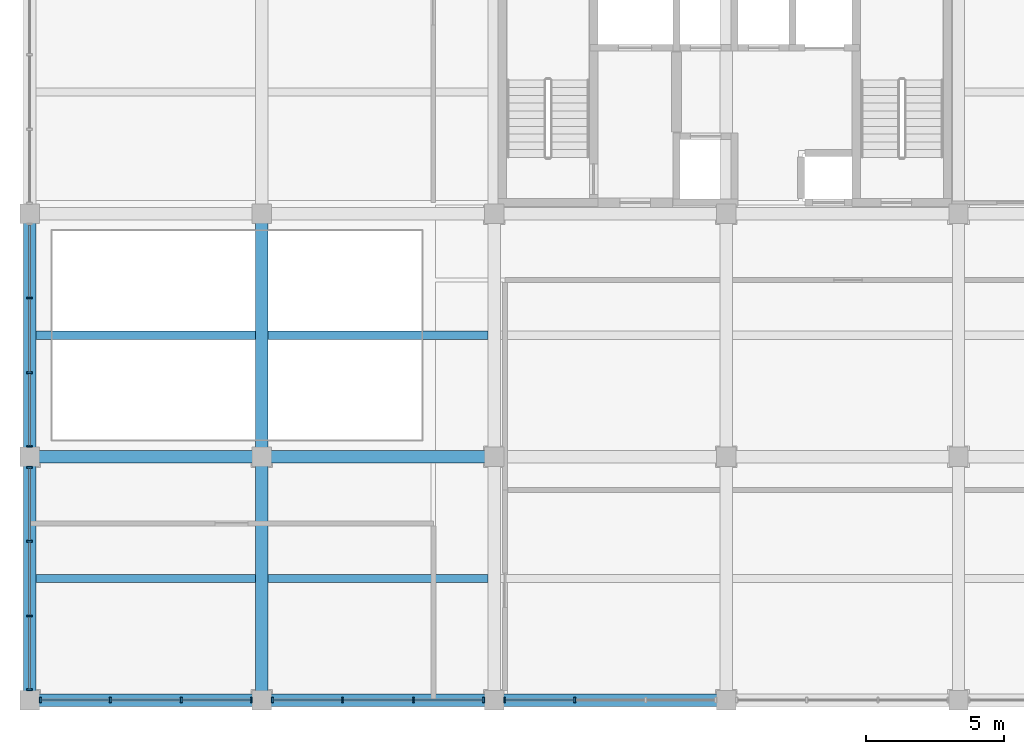
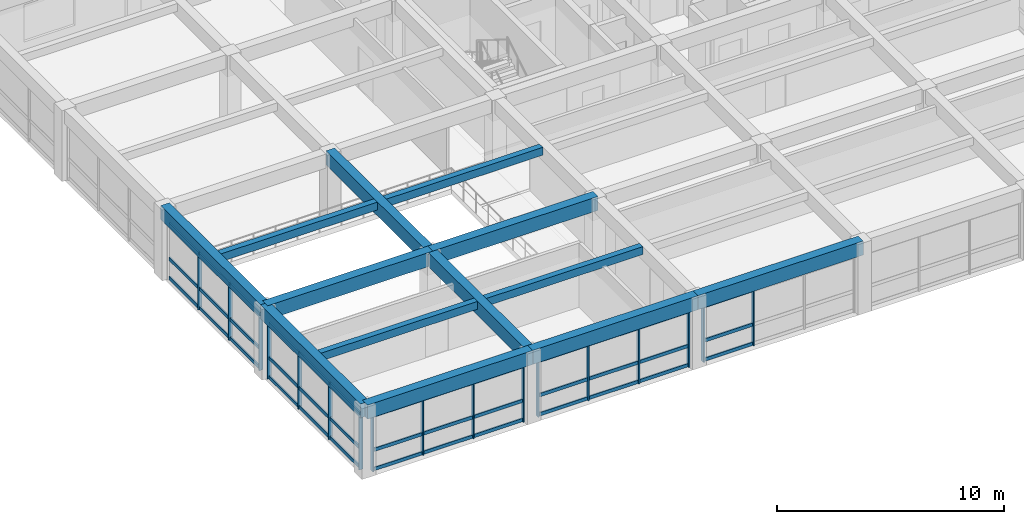
# One storey, part 2 of 13: 56 members, 13 beams, 5 elements without a shape of their own.
"""IFC4 building model written with IfcOpenShell, lengths in metres."""

from ifc_helpers import new_model, si_unit, direction, frame, origin, origin_2d, place, context, subcontext, project, spatial, rectangle, extrude, material, material_profile, profile_set, type_object, element, aggregate, save


model = new_model("IFC4")

# Units and contexts
model_context = context("Model", 3, precision=1e-05, world=origin(), true_north=direction((0.0, 1.0)))
body_context = subcontext(model_context, "Body", "Model", "MODEL_VIEW")
ifc_project = project(units=[si_unit("LENGTHUNIT", "METRE"), si_unit("AREAUNIT", "SQUARE_METRE"), si_unit("VOLUMEUNIT", "CUBIC_METRE"), si_unit("PLANEANGLEUNIT", "RADIAN"), si_unit("MASSUNIT", "GRAM", prefix="KILO")], contexts=[model_context])

# Site, building, storey
site_placement = place(None, origin())
site = spatial("IfcSite", under=ifc_project, at=site_placement, CompositionType="ELEMENT")
building_placement = place(site_placement, origin())
building = spatial("IfcBuilding", under=site, at=building_placement, Name="Kemercrest Conservatory and Botanical Centre", CompositionType="ELEMENT")
storey_placement = place(building_placement, frame((0.0, 0.0, 40.60009765625)))
storey = spatial("IfcBuildingStorey", under=building, at=storey_placement, Name="L10", CompositionType="ELEMENT", Elevation=40.60009765625)

# Beams
ifc_material_1 = material(Name="Concrete C40/50", Category="concrete")
ifc_material_profile_1 = material_profile(ifc_material_1, rectangle(XDim=0.449951171875, YDim=0.75, at=origin_2d()), Name="RC 450x750")
ifc_profile_set_1 = profile_set([ifc_material_profile_1], Name="Concrete C40/50")
beam_type_1 = type_object("IfcBeamType", Name="BM-RC75", PredefinedType="BEAM", material=ifc_profile_set_1)
beam_1_placement = place(storey_placement, frame((134.0, 96.0, 3.4248046875), z_axis=(1.0, 0.0, 0.0), x_axis=(0.0, 1.0, 0.0)))
element("IfcBeam", 1, at=beam_1_placement, inside=storey, type_object=beam_type_1, Name="V4-L11 beam BM-RC75 L/16-17", PredefinedType="BEAM", context=body_context, shape_type="SweptSolid", body=[
    extrude(rectangle(XDim=0.449951171875, YDim=0.75, at=origin_2d()), origin(), (0.0, 0.0, 1.0), 8.39990234375),
])
beam_2_placement = place(storey_placement, frame((142.39990234375, 96.0, 3.4248046875), z_axis=(1.0, 0.0, 0.0), x_axis=(0.0, 1.0, 0.0)))
element("IfcBeam", 2, at=beam_2_placement, inside=storey, type_object=beam_type_1, Name="V4-L11 beam BM-RC75 L/17-18", PredefinedType="BEAM", context=body_context, shape_type="SweptSolid", body=[
    extrude(rectangle(XDim=0.449951171875, YDim=0.75, at=origin_2d()), origin(), (0.0, 0.0, 1.0), 8.400146484375),
])
for number, where, z_axis, x_axis, name in (
    (3, (142.39990234375, 87.199951171875, 3.4248046875), (0.0, 1.0, 0.0), (-1.0, 0.0, 0.0), "V4-L11 beam BM-RC75 17/K-L"),
    (4, (142.39990234375, 96.0, 3.4248046875), (0.0, 1.0, 0.0), (-1.0, 0.0, 0.0), "V4-L11 beam BM-RC75 17/L-M"),
):
    element("IfcBeam", number, at=place(storey_placement, frame(where, z_axis=z_axis, x_axis=x_axis)), inside=storey, type_object=beam_type_1, Name=name, PredefinedType="BEAM", context=body_context, shape_type="SweptSolid", body=[
        extrude(rectangle(XDim=0.449951171875, YDim=0.75, at=origin_2d()), origin(), (0.0, 0.0, 1.0), 8.800048828125),
    ])

# Curtain wall, members
ifc_material_2 = material(Name="Thermally broken aluminium and triple low-e glazing", Category="aluminium")
curtain_wall_type_1 = type_object("IfcCurtainWallType", Name="CW-22", PredefinedType="USERDEFINED", material=ifc_material_2)
curtain_wall_1_placement = place(storey_placement, origin())
curtain_wall_1 = element("IfcCurtainWall", 5, at=curtain_wall_1_placement, inside=storey, type_object=curtain_wall_type_1, Name="Unitised curtain wall CW-22 (CW:L10:V4-111)", ObjectType="UNITISED CURTAIN WALL", PredefinedType="USERDEFINED")
ifc_material_3 = material(Name="Thermally broken anodized aluminium 6063-T6", Category="aluminium")
ifc_material_profile_2 = material_profile(ifc_material_3, rectangle(XDim=0.199951171875, YDim=0.06494140625, at=origin_2d()), Name="AL MULLION 65x200")
ifc_profile_set_2 = profile_set([ifc_material_profile_2], Name="Thermally broken anodized aluminium 6063-T6")
member_type_1 = type_object("IfcMemberType", Name="CW-M200", PredefinedType="MULLION", material=ifc_profile_set_2)
member_1_placement = place(storey_placement, frame((134.37744140625, 87.199951171875, 0.0), z_axis=(0.0, 0.0, 1.0), x_axis=(0.0, 1.0, 0.0)))
member_1 = element("IfcMember", 6, at=member_1_placement, type_object=member_type_1, Name="CW-22 mullion 1", PredefinedType="MULLION", context=body_context, shape_type="SweptSolid", body=[
    extrude(rectangle(XDim=0.199951171875, YDim=0.06494140625, at=origin_2d()), origin(), (0.0, 0.0, 1.0), 3.054931640625),
])
member_2_placement = place(storey_placement, frame((136.9150390625, 87.199951171875, 0.0), z_axis=(0.0, 0.0, 1.0), x_axis=(0.0, 1.0, 0.0)))
member_2 = element("IfcMember", 7, at=member_2_placement, type_object=member_type_1, Name="CW-22 mullion 2", PredefinedType="MULLION", context=body_context, shape_type="SweptSolid", body=[
    extrude(rectangle(XDim=0.199951171875, YDim=0.06494140625, at=origin_2d()), origin(), (0.0, 0.0, 1.0), 3.054931640625),
])
member_3_placement = place(storey_placement, frame((139.485107421875, 87.199951171875, 0.0), z_axis=(0.0, 0.0, 1.0), x_axis=(0.0, 1.0, 0.0)))
member_3 = element("IfcMember", 8, at=member_3_placement, type_object=member_type_1, Name="CW-22 mullion 3", PredefinedType="MULLION", context=body_context, shape_type="SweptSolid", body=[
    extrude(rectangle(XDim=0.199951171875, YDim=0.06494140625, at=origin_2d()), origin(), (0.0, 0.0, 1.0), 3.054931640625),
])
member_4_placement = place(storey_placement, frame((142.0224609375, 87.199951171875, 0.0), z_axis=(0.0, 0.0, 1.0), x_axis=(0.0, 1.0, 0.0)))
member_4 = element("IfcMember", 9, at=member_4_placement, type_object=member_type_1, Name="CW-22 mullion 4", PredefinedType="MULLION", context=body_context, shape_type="SweptSolid", body=[
    extrude(rectangle(XDim=0.199951171875, YDim=0.06494140625, at=origin_2d()), origin(), (0.0, 0.0, 1.0), 3.054931640625),
])

curtain_wall_type_2 = type_object("IfcCurtainWallType", Name="CW-23", PredefinedType="USERDEFINED", material=ifc_material_2)
curtain_wall_2_placement = place(storey_placement, origin())
curtain_wall_2 = element("IfcCurtainWall", 10, at=curtain_wall_2_placement, inside=storey, type_object=curtain_wall_type_2, Name="Unitised curtain wall CW-23 (CW:L10:V4-112)", ObjectType="UNITISED CURTAIN WALL", PredefinedType="USERDEFINED")
member_5_placement = place(storey_placement, frame((142.777587890625, 87.199951171875, 0.0), z_axis=(0.0, 0.0, 1.0), x_axis=(0.0, 1.0, 0.0)))
member_5 = element("IfcMember", 11, at=member_5_placement, type_object=member_type_1, Name="CW-23 mullion 1", PredefinedType="MULLION", context=body_context, shape_type="SweptSolid", body=[
    extrude(rectangle(XDim=0.199951171875, YDim=0.06494140625, at=origin_2d()), origin(), (0.0, 0.0, 1.0), 3.054931640625),
])
member_6_placement = place(storey_placement, frame((145.31494140625, 87.199951171875, 0.0), z_axis=(0.0, 0.0, 1.0), x_axis=(0.0, 1.0, 0.0)))
member_6 = element("IfcMember", 12, at=member_6_placement, type_object=member_type_1, Name="CW-23 mullion 2", PredefinedType="MULLION", context=body_context, shape_type="SweptSolid", body=[
    extrude(rectangle(XDim=0.199951171875, YDim=0.06494140625, at=origin_2d()), origin(), (0.0, 0.0, 1.0), 3.054931640625),
])
member_7_placement = place(storey_placement, frame((147.885009765625, 87.199951171875, 0.0), z_axis=(0.0, 0.0, 1.0), x_axis=(0.0, 1.0, 0.0)))
member_7 = element("IfcMember", 13, at=member_7_placement, type_object=member_type_1, Name="CW-23 mullion 3", PredefinedType="MULLION", context=body_context, shape_type="SweptSolid", body=[
    extrude(rectangle(XDim=0.199951171875, YDim=0.06494140625, at=origin_2d()), origin(), (0.0, 0.0, 1.0), 3.054931640625),
])
member_8_placement = place(storey_placement, frame((150.422607421875, 87.199951171875, 0.0), z_axis=(0.0, 0.0, 1.0), x_axis=(0.0, 1.0, 0.0)))
member_8 = element("IfcMember", 14, at=member_8_placement, type_object=member_type_1, Name="CW-23 mullion 4", PredefinedType="MULLION", context=body_context, shape_type="SweptSolid", body=[
    extrude(rectangle(XDim=0.199951171875, YDim=0.06494140625, at=origin_2d()), origin(), (0.0, 0.0, 1.0), 3.054931640625),
])

curtain_wall_type_3 = type_object("IfcCurtainWallType", Name="CW-24", PredefinedType="USERDEFINED", material=ifc_material_2)
curtain_wall_3_placement = place(storey_placement, origin())
curtain_wall_3 = element("IfcCurtainWall", 15, at=curtain_wall_3_placement, inside=storey, type_object=curtain_wall_type_3, Name="Unitised curtain wall CW-24 (CW:L10:V4-113)", ObjectType="UNITISED CURTAIN WALL", PredefinedType="USERDEFINED")
member_9_placement = place(storey_placement, frame((151.177490234375, 87.199951171875, 0.0), z_axis=(0.0, 0.0, 1.0), x_axis=(0.0, 1.0, 0.0)))
member_9 = element("IfcMember", 16, at=member_9_placement, type_object=member_type_1, Name="CW-24 mullion 1", PredefinedType="MULLION", context=body_context, shape_type="SweptSolid", body=[
    extrude(rectangle(XDim=0.199951171875, YDim=0.06494140625, at=origin_2d()), origin(), (0.0, 0.0, 1.0), 3.054931640625),
])
member_10_placement = place(storey_placement, frame((153.715087890625, 87.199951171875, 0.0), z_axis=(0.0, 0.0, 1.0), x_axis=(0.0, 1.0, 0.0)))
member_10 = element("IfcMember", 17, at=member_10_placement, type_object=member_type_1, Name="CW-24 mullion 2", PredefinedType="MULLION", context=body_context, shape_type="SweptSolid", body=[
    extrude(rectangle(XDim=0.199951171875, YDim=0.06494140625, at=origin_2d()), origin(), (0.0, 0.0, 1.0), 3.054931640625),
])

curtain_wall_type_4 = type_object("IfcCurtainWallType", Name="CW-01", PredefinedType="USERDEFINED", material=ifc_material_2)
curtain_wall_4_placement = place(storey_placement, origin())
curtain_wall_4 = element("IfcCurtainWall", 18, at=curtain_wall_4_placement, inside=storey, type_object=curtain_wall_type_4, Name="Unitised curtain wall CW-01 (CW:L10:V4-120)", ObjectType="UNITISED CURTAIN WALL", PredefinedType="USERDEFINED")
member_11_placement = place(storey_placement, frame((134.0, 101.751708984375, 0.0), z_axis=(0.0, 0.0, 1.0), x_axis=(1.0, 0.0, 0.0)))
member_11 = element("IfcMember", 19, at=member_11_placement, type_object=member_type_1, Name="CW-01 mullion 2", PredefinedType="MULLION", context=body_context, shape_type="SweptSolid", body=[
    extrude(rectangle(XDim=0.199951171875, YDim=0.06494140625, at=origin_2d()), origin(), (0.0, 0.0, 1.0), 3.054931640625),
])
member_12_placement = place(storey_placement, frame((134.0, 99.04833984375, 0.0), z_axis=(0.0, 0.0, 1.0), x_axis=(1.0, 0.0, 0.0)))
member_12 = element("IfcMember", 20, at=member_12_placement, type_object=member_type_1, Name="CW-01 mullion 3", PredefinedType="MULLION", context=body_context, shape_type="SweptSolid", body=[
    extrude(rectangle(XDim=0.199951171875, YDim=0.06494140625, at=origin_2d()), origin(), (0.0, 0.0, 1.0), 3.054931640625),
])
member_13_placement = place(storey_placement, frame((134.0, 96.37744140625, 0.0), z_axis=(0.0, 0.0, 1.0), x_axis=(1.0, 0.0, 0.0)))
member_13 = element("IfcMember", 21, at=member_13_placement, type_object=member_type_1, Name="CW-01 mullion 4", PredefinedType="MULLION", context=body_context, shape_type="SweptSolid", body=[
    extrude(rectangle(XDim=0.199951171875, YDim=0.06494140625, at=origin_2d()), origin(), (0.0, 0.0, 1.0), 3.054931640625),
])

curtain_wall_type_5 = type_object("IfcCurtainWallType", Name="CW-02", PredefinedType="USERDEFINED", material=ifc_material_2)
curtain_wall_5_placement = place(storey_placement, origin())
curtain_wall_5 = element("IfcCurtainWall", 22, at=curtain_wall_5_placement, inside=storey, type_object=curtain_wall_type_5, Name="Unitised curtain wall CW-02 (CW:L10:V4-121)", ObjectType="UNITISED CURTAIN WALL", PredefinedType="USERDEFINED")
member_14_placement = place(storey_placement, frame((134.0, 95.62255859375, 0.0), z_axis=(0.0, 0.0, 1.0), x_axis=(1.0, 0.0, 0.0)))
member_14 = element("IfcMember", 23, at=member_14_placement, type_object=member_type_1, Name="CW-02 mullion 1", PredefinedType="MULLION", context=body_context, shape_type="SweptSolid", body=[
    extrude(rectangle(XDim=0.199951171875, YDim=0.06494140625, at=origin_2d()), origin(), (0.0, 0.0, 1.0), 3.054931640625),
])
member_15_placement = place(storey_placement, frame((134.0, 92.95166015625, 0.0), z_axis=(0.0, 0.0, 1.0), x_axis=(1.0, 0.0, 0.0)))
member_15 = element("IfcMember", 24, at=member_15_placement, type_object=member_type_1, Name="CW-02 mullion 2", PredefinedType="MULLION", context=body_context, shape_type="SweptSolid", body=[
    extrude(rectangle(XDim=0.199951171875, YDim=0.06494140625, at=origin_2d()), origin(), (0.0, 0.0, 1.0), 3.054931640625),
])
member_16_placement = place(storey_placement, frame((134.0, 90.248291015625, 0.0), z_axis=(0.0, 0.0, 1.0), x_axis=(1.0, 0.0, 0.0)))
member_16 = element("IfcMember", 25, at=member_16_placement, type_object=member_type_1, Name="CW-02 mullion 3", PredefinedType="MULLION", context=body_context, shape_type="SweptSolid", body=[
    extrude(rectangle(XDim=0.199951171875, YDim=0.06494140625, at=origin_2d()), origin(), (0.0, 0.0, 1.0), 3.054931640625),
])
member_17_placement = place(storey_placement, frame((134.0, 87.577392578125, 0.0), z_axis=(0.0, 0.0, 1.0), x_axis=(1.0, 0.0, 0.0)))
member_17 = element("IfcMember", 26, at=member_17_placement, type_object=member_type_1, Name="CW-02 mullion 4", PredefinedType="MULLION", context=body_context, shape_type="SweptSolid", body=[
    extrude(rectangle(XDim=0.199951171875, YDim=0.06494140625, at=origin_2d()), origin(), (0.0, 0.0, 1.0), 3.054931640625),
])

# Member
ifc_material_profile_3 = material_profile(ifc_material_3, rectangle(XDim=0.074951171875, YDim=0.179931640625, at=origin_2d()), Name="AL TRANSOM 75x180")
ifc_profile_set_3 = profile_set([ifc_material_profile_3], Name="Thermally broken anodized aluminium 6063-T6")
member_type_2 = type_object("IfcMemberType", Name="CW-T180", PredefinedType="USERDEFINED", material=ifc_profile_set_3)
member_18_placement = place(storey_placement, frame((134.409912109375, 87.199951171875, 0.08984375), z_axis=(1.0, 0.0, 0.0), x_axis=(0.0, 1.0, 0.0)))
member_18 = element("IfcMember", 27, at=member_18_placement, type_object=member_type_2, Name="CW-22 transom 1.1", ObjectType="TRANSOM", PredefinedType="USERDEFINED", context=body_context, shape_type="SweptSolid", body=[
    extrude(rectangle(XDim=0.074951171875, YDim=0.179931640625, at=origin_2d()), origin(), (0.0, 0.0, 1.0), 2.47265625),
])

member_19_placement = place(storey_placement, frame((134.409912109375, 87.199951171875, 1.119873046875), z_axis=(1.0, 0.0, 0.0), x_axis=(0.0, 1.0, 0.0)))
member_19 = element("IfcMember", 28, at=member_19_placement, type_object=member_type_2, Name="CW-22 transom 1.2", ObjectType="TRANSOM", PredefinedType="USERDEFINED", context=body_context, shape_type="SweptSolid", body=[
    extrude(rectangle(XDim=0.074951171875, YDim=0.179931640625, at=origin_2d()), origin(), (0.0, 0.0, 1.0), 2.47265625),
])

member_20_placement = place(storey_placement, frame((134.409912109375, 87.199951171875, 2.96484375), z_axis=(1.0, 0.0, 0.0), x_axis=(0.0, 1.0, 0.0)))
member_20 = element("IfcMember", 29, at=member_20_placement, type_object=member_type_2, Name="CW-22 transom 1.3", ObjectType="TRANSOM", PredefinedType="USERDEFINED", context=body_context, shape_type="SweptSolid", body=[
    extrude(rectangle(XDim=0.074951171875, YDim=0.179931640625, at=origin_2d()), origin(), (0.0, 0.0, 1.0), 2.47265625),
])

member_21_placement = place(storey_placement, frame((136.947509765625, 87.199951171875, 0.08984375), z_axis=(1.0, 0.0, 0.0), x_axis=(0.0, 1.0, 0.0)))
member_21 = element("IfcMember", 30, at=member_21_placement, type_object=member_type_2, Name="CW-22 transom 2.1", ObjectType="TRANSOM", PredefinedType="USERDEFINED", context=body_context, shape_type="SweptSolid", body=[
    extrude(rectangle(XDim=0.074951171875, YDim=0.179931640625, at=origin_2d()), origin(), (0.0, 0.0, 1.0), 2.5048828125),
])

member_22_placement = place(storey_placement, frame((136.947509765625, 87.199951171875, 1.119873046875), z_axis=(1.0, 0.0, 0.0), x_axis=(0.0, 1.0, 0.0)))
member_22 = element("IfcMember", 31, at=member_22_placement, type_object=member_type_2, Name="CW-22 transom 2.2", ObjectType="TRANSOM", PredefinedType="USERDEFINED", context=body_context, shape_type="SweptSolid", body=[
    extrude(rectangle(XDim=0.074951171875, YDim=0.179931640625, at=origin_2d()), origin(), (0.0, 0.0, 1.0), 2.5048828125),
])

member_23_placement = place(storey_placement, frame((136.947509765625, 87.199951171875, 2.96484375), z_axis=(1.0, 0.0, 0.0), x_axis=(0.0, 1.0, 0.0)))
member_23 = element("IfcMember", 32, at=member_23_placement, type_object=member_type_2, Name="CW-22 transom 2.3", ObjectType="TRANSOM", PredefinedType="USERDEFINED", context=body_context, shape_type="SweptSolid", body=[
    extrude(rectangle(XDim=0.074951171875, YDim=0.179931640625, at=origin_2d()), origin(), (0.0, 0.0, 1.0), 2.5048828125),
])

member_24_placement = place(storey_placement, frame((139.517578125, 87.199951171875, 0.08984375), z_axis=(1.0, 0.0, 0.0), x_axis=(0.0, 1.0, 0.0)))
member_24 = element("IfcMember", 33, at=member_24_placement, type_object=member_type_2, Name="CW-22 transom 3.1", ObjectType="TRANSOM", PredefinedType="USERDEFINED", context=body_context, shape_type="SweptSolid", body=[
    extrude(rectangle(XDim=0.074951171875, YDim=0.179931640625, at=origin_2d()), origin(), (0.0, 0.0, 1.0), 2.472412109375),
])

member_25_placement = place(storey_placement, frame((139.517578125, 87.199951171875, 1.119873046875), z_axis=(1.0, 0.0, 0.0), x_axis=(0.0, 1.0, 0.0)))
member_25 = element("IfcMember", 34, at=member_25_placement, type_object=member_type_2, Name="CW-22 transom 3.2", ObjectType="TRANSOM", PredefinedType="USERDEFINED", context=body_context, shape_type="SweptSolid", body=[
    extrude(rectangle(XDim=0.074951171875, YDim=0.179931640625, at=origin_2d()), origin(), (0.0, 0.0, 1.0), 2.472412109375),
])

member_26_placement = place(storey_placement, frame((139.517578125, 87.199951171875, 2.96484375), z_axis=(1.0, 0.0, 0.0), x_axis=(0.0, 1.0, 0.0)))
member_26 = element("IfcMember", 35, at=member_26_placement, type_object=member_type_2, Name="CW-22 transom 3.3", ObjectType="TRANSOM", PredefinedType="USERDEFINED", context=body_context, shape_type="SweptSolid", body=[
    extrude(rectangle(XDim=0.074951171875, YDim=0.179931640625, at=origin_2d()), origin(), (0.0, 0.0, 1.0), 2.472412109375),
])

aggregate(curtain_wall_1, [member_1, member_2, member_3, member_4, member_18, member_19, member_20, member_21, member_22, member_23, member_24, member_25, member_26])

member_27_placement = place(storey_placement, frame((142.81005859375, 87.199951171875, 0.08984375), z_axis=(1.0, 0.0, 0.0), x_axis=(0.0, 1.0, 0.0)))
member_27 = element("IfcMember", 36, at=member_27_placement, type_object=member_type_2, Name="CW-23 transom 1.1", ObjectType="TRANSOM", PredefinedType="USERDEFINED", context=body_context, shape_type="SweptSolid", body=[
    extrude(rectangle(XDim=0.074951171875, YDim=0.179931640625, at=origin_2d()), origin(), (0.0, 0.0, 1.0), 2.472412109375),
])

member_28_placement = place(storey_placement, frame((142.81005859375, 87.199951171875, 1.119873046875), z_axis=(1.0, 0.0, 0.0), x_axis=(0.0, 1.0, 0.0)))
member_28 = element("IfcMember", 37, at=member_28_placement, type_object=member_type_2, Name="CW-23 transom 1.2", ObjectType="TRANSOM", PredefinedType="USERDEFINED", context=body_context, shape_type="SweptSolid", body=[
    extrude(rectangle(XDim=0.074951171875, YDim=0.179931640625, at=origin_2d()), origin(), (0.0, 0.0, 1.0), 2.472412109375),
])

member_29_placement = place(storey_placement, frame((142.81005859375, 87.199951171875, 2.96484375), z_axis=(1.0, 0.0, 0.0), x_axis=(0.0, 1.0, 0.0)))
member_29 = element("IfcMember", 38, at=member_29_placement, type_object=member_type_2, Name="CW-23 transom 1.3", ObjectType="TRANSOM", PredefinedType="USERDEFINED", context=body_context, shape_type="SweptSolid", body=[
    extrude(rectangle(XDim=0.074951171875, YDim=0.179931640625, at=origin_2d()), origin(), (0.0, 0.0, 1.0), 2.472412109375),
])

member_30_placement = place(storey_placement, frame((145.347412109375, 87.199951171875, 0.08984375), z_axis=(1.0, 0.0, 0.0), x_axis=(0.0, 1.0, 0.0)))
member_30 = element("IfcMember", 39, at=member_30_placement, type_object=member_type_2, Name="CW-23 transom 2.1", ObjectType="TRANSOM", PredefinedType="USERDEFINED", context=body_context, shape_type="SweptSolid", body=[
    extrude(rectangle(XDim=0.074951171875, YDim=0.179931640625, at=origin_2d()), origin(), (0.0, 0.0, 1.0), 2.505126953125),
])

member_31_placement = place(storey_placement, frame((145.347412109375, 87.199951171875, 1.119873046875), z_axis=(1.0, 0.0, 0.0), x_axis=(0.0, 1.0, 0.0)))
member_31 = element("IfcMember", 40, at=member_31_placement, type_object=member_type_2, Name="CW-23 transom 2.2", ObjectType="TRANSOM", PredefinedType="USERDEFINED", context=body_context, shape_type="SweptSolid", body=[
    extrude(rectangle(XDim=0.074951171875, YDim=0.179931640625, at=origin_2d()), origin(), (0.0, 0.0, 1.0), 2.505126953125),
])

member_32_placement = place(storey_placement, frame((145.347412109375, 87.199951171875, 2.96484375), z_axis=(1.0, 0.0, 0.0), x_axis=(0.0, 1.0, 0.0)))
member_32 = element("IfcMember", 41, at=member_32_placement, type_object=member_type_2, Name="CW-23 transom 2.3", ObjectType="TRANSOM", PredefinedType="USERDEFINED", context=body_context, shape_type="SweptSolid", body=[
    extrude(rectangle(XDim=0.074951171875, YDim=0.179931640625, at=origin_2d()), origin(), (0.0, 0.0, 1.0), 2.505126953125),
])

member_33_placement = place(storey_placement, frame((147.91748046875, 87.199951171875, 0.08984375), z_axis=(1.0, 0.0, 0.0), x_axis=(0.0, 1.0, 0.0)))
member_33 = element("IfcMember", 42, at=member_33_placement, type_object=member_type_2, Name="CW-23 transom 3.1", ObjectType="TRANSOM", PredefinedType="USERDEFINED", context=body_context, shape_type="SweptSolid", body=[
    extrude(rectangle(XDim=0.074951171875, YDim=0.179931640625, at=origin_2d()), origin(), (0.0, 0.0, 1.0), 2.472412109375),
])

member_34_placement = place(storey_placement, frame((147.91748046875, 87.199951171875, 1.119873046875), z_axis=(1.0, 0.0, 0.0), x_axis=(0.0, 1.0, 0.0)))
member_34 = element("IfcMember", 43, at=member_34_placement, type_object=member_type_2, Name="CW-23 transom 3.2", ObjectType="TRANSOM", PredefinedType="USERDEFINED", context=body_context, shape_type="SweptSolid", body=[
    extrude(rectangle(XDim=0.074951171875, YDim=0.179931640625, at=origin_2d()), origin(), (0.0, 0.0, 1.0), 2.472412109375),
])

member_35_placement = place(storey_placement, frame((147.91748046875, 87.199951171875, 2.96484375), z_axis=(1.0, 0.0, 0.0), x_axis=(0.0, 1.0, 0.0)))
member_35 = element("IfcMember", 44, at=member_35_placement, type_object=member_type_2, Name="CW-23 transom 3.3", ObjectType="TRANSOM", PredefinedType="USERDEFINED", context=body_context, shape_type="SweptSolid", body=[
    extrude(rectangle(XDim=0.074951171875, YDim=0.179931640625, at=origin_2d()), origin(), (0.0, 0.0, 1.0), 2.472412109375),
])

aggregate(curtain_wall_2, [member_5, member_6, member_7, member_8, member_27, member_28, member_29, member_30, member_31, member_32, member_33, member_34, member_35])

member_36_placement = place(storey_placement, frame((151.2099609375, 87.199951171875, 0.08984375), z_axis=(1.0, 0.0, 0.0), x_axis=(0.0, 1.0, 0.0)))
member_36 = element("IfcMember", 45, at=member_36_placement, type_object=member_type_2, Name="CW-24 transom 1.1", ObjectType="TRANSOM", PredefinedType="USERDEFINED", context=body_context, shape_type="SweptSolid", body=[
    extrude(rectangle(XDim=0.074951171875, YDim=0.179931640625, at=origin_2d()), origin(), (0.0, 0.0, 1.0), 2.47265625),
])

member_37_placement = place(storey_placement, frame((151.2099609375, 87.199951171875, 1.119873046875), z_axis=(1.0, 0.0, 0.0), x_axis=(0.0, 1.0, 0.0)))
member_37 = element("IfcMember", 46, at=member_37_placement, type_object=member_type_2, Name="CW-24 transom 1.2", ObjectType="TRANSOM", PredefinedType="USERDEFINED", context=body_context, shape_type="SweptSolid", body=[
    extrude(rectangle(XDim=0.074951171875, YDim=0.179931640625, at=origin_2d()), origin(), (0.0, 0.0, 1.0), 2.47265625),
])

member_38_placement = place(storey_placement, frame((151.2099609375, 87.199951171875, 2.96484375), z_axis=(1.0, 0.0, 0.0), x_axis=(0.0, 1.0, 0.0)))
member_38 = element("IfcMember", 47, at=member_38_placement, type_object=member_type_2, Name="CW-24 transom 1.3", ObjectType="TRANSOM", PredefinedType="USERDEFINED", context=body_context, shape_type="SweptSolid", body=[
    extrude(rectangle(XDim=0.074951171875, YDim=0.179931640625, at=origin_2d()), origin(), (0.0, 0.0, 1.0), 2.47265625),
])

aggregate(curtain_wall_3, [member_9, member_10, member_36, member_37, member_38])

member_39_placement = place(storey_placement, frame((134.0, 104.389892578125, 0.08984375), z_axis=(0.0, -1.0, 0.0), x_axis=(1.0, 0.0, 0.0)))
member_39 = element("IfcMember", 48, at=member_39_placement, type_object=member_type_2, Name="CW-01 transom 1.1", ObjectType="TRANSOM", PredefinedType="USERDEFINED", context=body_context, shape_type="SweptSolid", body=[
    extrude(rectangle(XDim=0.074951171875, YDim=0.179931640625, at=origin_2d()), origin(), (0.0, 0.0, 1.0), 2.605712890625),
])

member_40_placement = place(storey_placement, frame((134.0, 104.389892578125, 1.119873046875), z_axis=(0.0, -1.0, 0.0), x_axis=(1.0, 0.0, 0.0)))
member_40 = element("IfcMember", 49, at=member_40_placement, type_object=member_type_2, Name="CW-01 transom 1.2", ObjectType="TRANSOM", PredefinedType="USERDEFINED", context=body_context, shape_type="SweptSolid", body=[
    extrude(rectangle(XDim=0.074951171875, YDim=0.179931640625, at=origin_2d()), origin(), (0.0, 0.0, 1.0), 2.605712890625),
])

member_41_placement = place(storey_placement, frame((134.0, 104.389892578125, 2.96484375), z_axis=(0.0, -1.0, 0.0), x_axis=(1.0, 0.0, 0.0)))
member_41 = element("IfcMember", 50, at=member_41_placement, type_object=member_type_2, Name="CW-01 transom 1.3", ObjectType="TRANSOM", PredefinedType="USERDEFINED", context=body_context, shape_type="SweptSolid", body=[
    extrude(rectangle(XDim=0.074951171875, YDim=0.179931640625, at=origin_2d()), origin(), (0.0, 0.0, 1.0), 2.605712890625),
])

member_42_placement = place(storey_placement, frame((134.0, 101.71923828125, 0.08984375), z_axis=(0.0, -1.0, 0.0), x_axis=(1.0, 0.0, 0.0)))
member_42 = element("IfcMember", 51, at=member_42_placement, type_object=member_type_2, Name="CW-01 transom 2.1", ObjectType="TRANSOM", PredefinedType="USERDEFINED", context=body_context, shape_type="SweptSolid", body=[
    extrude(rectangle(XDim=0.074951171875, YDim=0.179931640625, at=origin_2d()), origin(), (0.0, 0.0, 1.0), 2.638427734375),
])

member_43_placement = place(storey_placement, frame((134.0, 101.71923828125, 1.119873046875), z_axis=(0.0, -1.0, 0.0), x_axis=(1.0, 0.0, 0.0)))
member_43 = element("IfcMember", 52, at=member_43_placement, type_object=member_type_2, Name="CW-01 transom 2.2", ObjectType="TRANSOM", PredefinedType="USERDEFINED", context=body_context, shape_type="SweptSolid", body=[
    extrude(rectangle(XDim=0.074951171875, YDim=0.179931640625, at=origin_2d()), origin(), (0.0, 0.0, 1.0), 2.638427734375),
])

member_44_placement = place(storey_placement, frame((134.0, 101.71923828125, 2.96484375), z_axis=(0.0, -1.0, 0.0), x_axis=(1.0, 0.0, 0.0)))
member_44 = element("IfcMember", 53, at=member_44_placement, type_object=member_type_2, Name="CW-01 transom 2.3", ObjectType="TRANSOM", PredefinedType="USERDEFINED", context=body_context, shape_type="SweptSolid", body=[
    extrude(rectangle(XDim=0.074951171875, YDim=0.179931640625, at=origin_2d()), origin(), (0.0, 0.0, 1.0), 2.638427734375),
])

member_45_placement = place(storey_placement, frame((134.0, 99.015869140625, 0.08984375), z_axis=(0.0, -1.0, 0.0), x_axis=(1.0, 0.0, 0.0)))
member_45 = element("IfcMember", 54, at=member_45_placement, type_object=member_type_2, Name="CW-01 transom 3.1", ObjectType="TRANSOM", PredefinedType="USERDEFINED", context=body_context, shape_type="SweptSolid", body=[
    extrude(rectangle(XDim=0.074951171875, YDim=0.179931640625, at=origin_2d()), origin(), (0.0, 0.0, 1.0), 2.60595703125),
])

member_46_placement = place(storey_placement, frame((134.0, 99.015869140625, 1.119873046875), z_axis=(0.0, -1.0, 0.0), x_axis=(1.0, 0.0, 0.0)))
member_46 = element("IfcMember", 55, at=member_46_placement, type_object=member_type_2, Name="CW-01 transom 3.2", ObjectType="TRANSOM", PredefinedType="USERDEFINED", context=body_context, shape_type="SweptSolid", body=[
    extrude(rectangle(XDim=0.074951171875, YDim=0.179931640625, at=origin_2d()), origin(), (0.0, 0.0, 1.0), 2.60595703125),
])

member_47_placement = place(storey_placement, frame((134.0, 99.015869140625, 2.96484375), z_axis=(0.0, -1.0, 0.0), x_axis=(1.0, 0.0, 0.0)))
member_47 = element("IfcMember", 56, at=member_47_placement, type_object=member_type_2, Name="CW-01 transom 3.3", ObjectType="TRANSOM", PredefinedType="USERDEFINED", context=body_context, shape_type="SweptSolid", body=[
    extrude(rectangle(XDim=0.074951171875, YDim=0.179931640625, at=origin_2d()), origin(), (0.0, 0.0, 1.0), 2.60595703125),
])

aggregate(curtain_wall_4, [member_11, member_12, member_13, member_39, member_40, member_41, member_42, member_43, member_44, member_45, member_46, member_47])

member_48_placement = place(storey_placement, frame((134.0, 95.590087890625, 0.08984375), z_axis=(0.0, -1.0, 0.0), x_axis=(1.0, 0.0, 0.0)))
member_48 = element("IfcMember", 57, at=member_48_placement, type_object=member_type_2, Name="CW-02 transom 1.1", ObjectType="TRANSOM", PredefinedType="USERDEFINED", context=body_context, shape_type="SweptSolid", body=[
    extrude(rectangle(XDim=0.074951171875, YDim=0.179931640625, at=origin_2d()), origin(), (0.0, 0.0, 1.0), 2.60595703125),
])

member_49_placement = place(storey_placement, frame((134.0, 95.590087890625, 1.119873046875), z_axis=(0.0, -1.0, 0.0), x_axis=(1.0, 0.0, 0.0)))
member_49 = element("IfcMember", 58, at=member_49_placement, type_object=member_type_2, Name="CW-02 transom 1.2", ObjectType="TRANSOM", PredefinedType="USERDEFINED", context=body_context, shape_type="SweptSolid", body=[
    extrude(rectangle(XDim=0.074951171875, YDim=0.179931640625, at=origin_2d()), origin(), (0.0, 0.0, 1.0), 2.60595703125),
])

member_50_placement = place(storey_placement, frame((134.0, 95.590087890625, 2.96484375), z_axis=(0.0, -1.0, 0.0), x_axis=(1.0, 0.0, 0.0)))
member_50 = element("IfcMember", 59, at=member_50_placement, type_object=member_type_2, Name="CW-02 transom 1.3", ObjectType="TRANSOM", PredefinedType="USERDEFINED", context=body_context, shape_type="SweptSolid", body=[
    extrude(rectangle(XDim=0.074951171875, YDim=0.179931640625, at=origin_2d()), origin(), (0.0, 0.0, 1.0), 2.60595703125),
])

member_51_placement = place(storey_placement, frame((134.0, 92.919189453125, 0.08984375), z_axis=(0.0, -1.0, 0.0), x_axis=(1.0, 0.0, 0.0)))
member_51 = element("IfcMember", 60, at=member_51_placement, type_object=member_type_2, Name="CW-02 transom 2.1", ObjectType="TRANSOM", PredefinedType="USERDEFINED", context=body_context, shape_type="SweptSolid", body=[
    extrude(rectangle(XDim=0.074951171875, YDim=0.179931640625, at=origin_2d()), origin(), (0.0, 0.0, 1.0), 2.638427734375),
])

member_52_placement = place(storey_placement, frame((134.0, 92.919189453125, 1.119873046875), z_axis=(0.0, -1.0, 0.0), x_axis=(1.0, 0.0, 0.0)))
member_52 = element("IfcMember", 61, at=member_52_placement, type_object=member_type_2, Name="CW-02 transom 2.2", ObjectType="TRANSOM", PredefinedType="USERDEFINED", context=body_context, shape_type="SweptSolid", body=[
    extrude(rectangle(XDim=0.074951171875, YDim=0.179931640625, at=origin_2d()), origin(), (0.0, 0.0, 1.0), 2.638427734375),
])

member_53_placement = place(storey_placement, frame((134.0, 92.919189453125, 2.96484375), z_axis=(0.0, -1.0, 0.0), x_axis=(1.0, 0.0, 0.0)))
member_53 = element("IfcMember", 62, at=member_53_placement, type_object=member_type_2, Name="CW-02 transom 2.3", ObjectType="TRANSOM", PredefinedType="USERDEFINED", context=body_context, shape_type="SweptSolid", body=[
    extrude(rectangle(XDim=0.074951171875, YDim=0.179931640625, at=origin_2d()), origin(), (0.0, 0.0, 1.0), 2.638427734375),
])

member_54_placement = place(storey_placement, frame((134.0, 90.2158203125, 0.08984375), z_axis=(0.0, -1.0, 0.0), x_axis=(1.0, 0.0, 0.0)))
member_54 = element("IfcMember", 63, at=member_54_placement, type_object=member_type_2, Name="CW-02 transom 3.1", ObjectType="TRANSOM", PredefinedType="USERDEFINED", context=body_context, shape_type="SweptSolid", body=[
    extrude(rectangle(XDim=0.074951171875, YDim=0.179931640625, at=origin_2d()), origin(), (0.0, 0.0, 1.0), 2.605712890625),
])

member_55_placement = place(storey_placement, frame((134.0, 90.2158203125, 1.119873046875), z_axis=(0.0, -1.0, 0.0), x_axis=(1.0, 0.0, 0.0)))
member_55 = element("IfcMember", 64, at=member_55_placement, type_object=member_type_2, Name="CW-02 transom 3.2", ObjectType="TRANSOM", PredefinedType="USERDEFINED", context=body_context, shape_type="SweptSolid", body=[
    extrude(rectangle(XDim=0.074951171875, YDim=0.179931640625, at=origin_2d()), origin(), (0.0, 0.0, 1.0), 2.605712890625),
])

member_56_placement = place(storey_placement, frame((134.0, 90.2158203125, 2.96484375), z_axis=(0.0, -1.0, 0.0), x_axis=(1.0, 0.0, 0.0)))
member_56 = element("IfcMember", 65, at=member_56_placement, type_object=member_type_2, Name="CW-02 transom 3.3", ObjectType="TRANSOM", PredefinedType="USERDEFINED", context=body_context, shape_type="SweptSolid", body=[
    extrude(rectangle(XDim=0.074951171875, YDim=0.179931640625, at=origin_2d()), origin(), (0.0, 0.0, 1.0), 2.605712890625),
])

aggregate(curtain_wall_5, [member_14, member_15, member_16, member_17, member_48, member_49, member_50, member_51, member_52, member_53, member_54, member_55, member_56])

# Beams
ifc_material_profile_4 = material_profile(ifc_material_1, rectangle(XDim=0.300048828125, YDim=0.419921875, at=origin_2d()), Name="RC 300x420")
ifc_profile_set_4 = profile_set([ifc_material_profile_4], Name="Concrete C40/50")
beam_type_2 = type_object("IfcBeamType", Name="JS-RC42", PredefinedType="JOIST", material=ifc_profile_set_4)
for number, where, z_axis, x_axis, name in (
    (66, (134.22509765625, 91.60009765625, 3.58984375), (1.0, 0.0, 0.0), (0.0, 1.0, 0.0), "V4-L11 secondary joist JS-RC42"),
    (67, (142.625, 91.60009765625, 3.58984375), (1.0, 0.0, 0.0), (0.0, 1.0, 0.0), "V4-L11 secondary joist JS-RC42"),
    (68, (134.22509765625, 100.39990234375, 3.58984375), (1.0, 0.0, 0.0), (0.0, 1.0, 0.0), "V4-L11 secondary joist JS-RC42"),
    (69, (142.625, 100.39990234375, 3.58984375), (1.0, 0.0, 0.0), (0.0, 1.0, 0.0), "V4-L11 secondary joist JS-RC42"),
):
    element("IfcBeam", number, at=place(storey_placement, frame(where, z_axis=z_axis, x_axis=x_axis)), inside=storey, type_object=beam_type_2, Name=name, PredefinedType="JOIST", context=body_context, shape_type="SweptSolid", body=[
        extrude(rectangle(XDim=0.300048828125, YDim=0.419921875, at=origin_2d()), origin(), (0.0, 0.0, 1.0), 7.949951171875),
    ])
ifc_material_profile_5 = material_profile(ifc_material_1, rectangle(XDim=0.449951171875, YDim=0.75, at=origin_2d()), Name="RC 450x750")
ifc_profile_set_5 = profile_set([ifc_material_profile_5], Name="Concrete C40/50")
beam_type_3 = type_object("IfcBeamType", Name="SP-RC75", PredefinedType="SPANDREL", material=ifc_profile_set_5)
beam_3_placement = place(storey_placement, frame((134.0, 87.199951171875, 3.4248046875), z_axis=(1.0, 0.0, 0.0), x_axis=(0.0, 1.0, 0.0)))
element("IfcBeam", 70, at=beam_3_placement, inside=storey, type_object=beam_type_3, Name="V4-L11 beam SP-RC75 K/16-17", PredefinedType="SPANDREL", context=body_context, shape_type="SweptSolid", body=[
    extrude(rectangle(XDim=0.449951171875, YDim=0.75, at=origin_2d()), origin(), (0.0, 0.0, 1.0), 8.39990234375),
])
beam_4_placement = place(storey_placement, frame((142.39990234375, 87.199951171875, 3.4248046875), z_axis=(1.0, 0.0, 0.0), x_axis=(0.0, 1.0, 0.0)))
element("IfcBeam", 71, at=beam_4_placement, inside=storey, type_object=beam_type_3, Name="V4-L11 beam SP-RC75 K/17-18", PredefinedType="SPANDREL", context=body_context, shape_type="SweptSolid", body=[
    extrude(rectangle(XDim=0.449951171875, YDim=0.75, at=origin_2d()), origin(), (0.0, 0.0, 1.0), 8.400146484375),
])
beam_5_placement = place(storey_placement, frame((150.800048828125, 87.199951171875, 3.4248046875), z_axis=(1.0, 0.0, 0.0), x_axis=(0.0, 1.0, 0.0)))
element("IfcBeam", 72, at=beam_5_placement, inside=storey, type_object=beam_type_3, Name="V4-L11 beam SP-RC75 K/18-19", PredefinedType="SPANDREL", context=body_context, shape_type="SweptSolid", body=[
    extrude(rectangle(XDim=0.449951171875, YDim=0.75, at=origin_2d()), origin(), (0.0, 0.0, 1.0), 8.39990234375),
])
for number, where, z_axis, x_axis, name in (
    (73, (134.0, 87.199951171875, 3.4248046875), (0.0, 1.0, 0.0), (-1.0, 0.0, 0.0), "V4-L11 beam SP-RC75 16/K-L"),
    (74, (134.0, 96.0, 3.4248046875), (0.0, 1.0, 0.0), (-1.0, 0.0, 0.0), "V4-L11 beam SP-RC75 16/L-M"),
):
    element("IfcBeam", number, at=place(storey_placement, frame(where, z_axis=z_axis, x_axis=x_axis)), inside=storey, type_object=beam_type_3, Name=name, PredefinedType="SPANDREL", context=body_context, shape_type="SweptSolid", body=[
        extrude(rectangle(XDim=0.449951171875, YDim=0.75, at=origin_2d()), origin(), (0.0, 0.0, 1.0), 8.800048828125),
    ])

save(model, "model.ifc")
